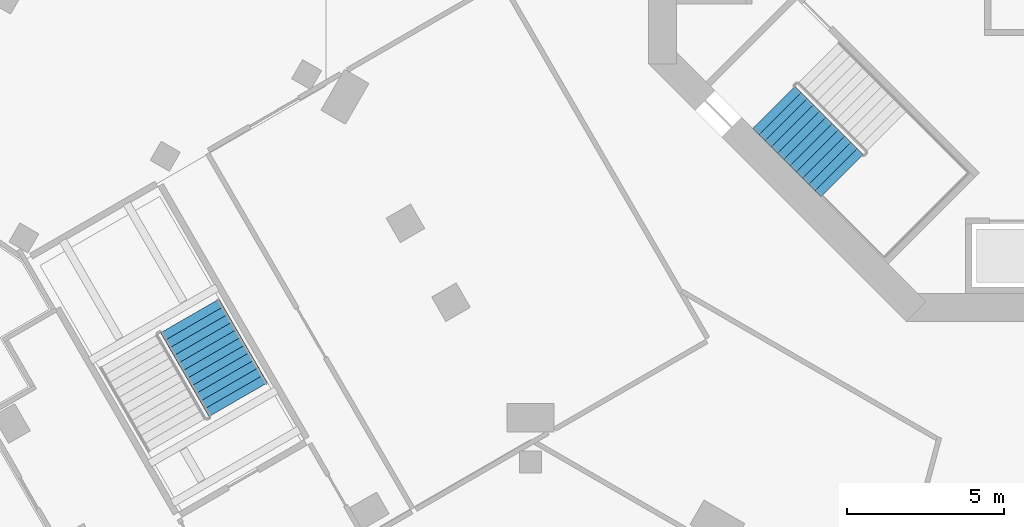
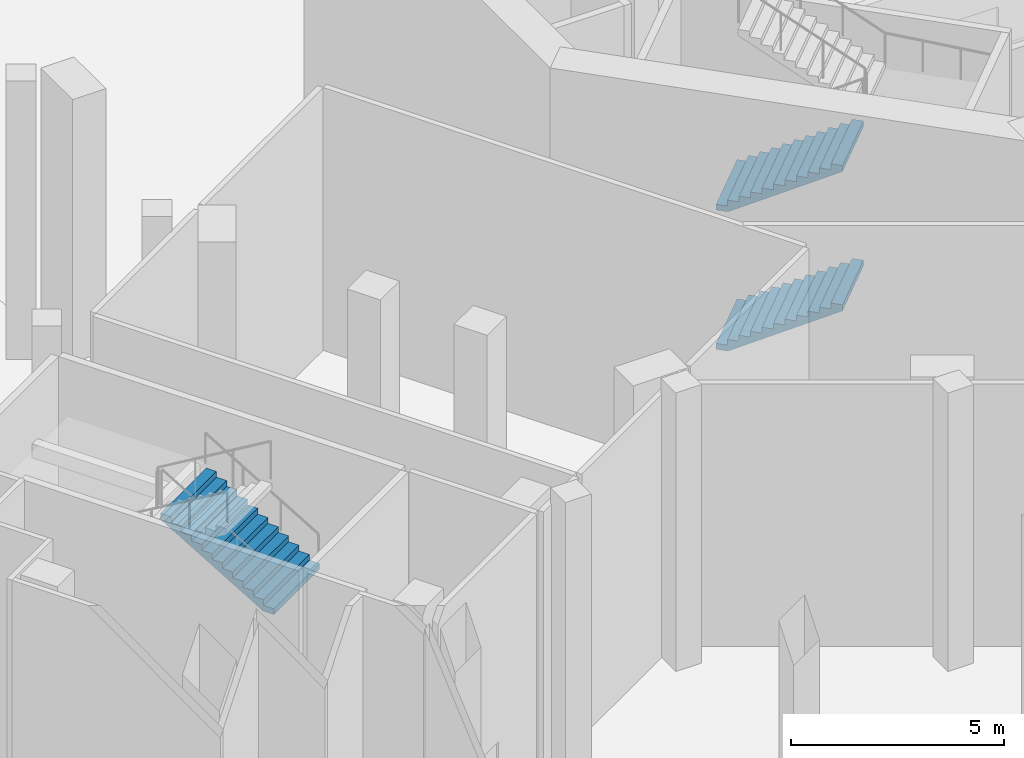
# One storey, part 14 of 30: 3 stair flights, 2 elements without a shape of their own.
"""IFC4 building model written with IfcOpenShell, lengths in metres."""

from ifc_helpers import new_model, si_unit, direction, frame, origin, place, context, subcontext, project, spatial, triangles, material, type_object, element, aggregate, save


model = new_model("IFC4")

# Units and contexts
model_context = context("Model", 3, precision=1e-05, world=origin(), true_north=direction((0.0, 1.0)))
body_context = subcontext(model_context, "Body", "Model", "MODEL_VIEW")
ifc_project = project(units=[si_unit("LENGTHUNIT", "METRE"), si_unit("AREAUNIT", "SQUARE_METRE"), si_unit("VOLUMEUNIT", "CUBIC_METRE"), si_unit("PLANEANGLEUNIT", "RADIAN"), si_unit("MASSUNIT", "GRAM", prefix="KILO")], contexts=[model_context])

# Site, building, storey
site_placement = place(None, origin())
site = spatial("IfcSite", under=ifc_project, at=site_placement, CompositionType="ELEMENT")
building_placement = place(site_placement, origin())
building = spatial("IfcBuilding", under=site, at=building_placement, Name="Verdalira Terraces Hotel", CompositionType="ELEMENT")
storey_placement = place(building_placement, origin())
storey = spatial("IfcBuildingStorey", under=building, at=storey_placement, Name="L00", CompositionType="ELEMENT", Elevation=0.0)

# Stair, stair flights
ifc_material_1 = material(Name="Concrete C40", Category="concrete")
stair_type_1 = type_object("IfcStairType", Name="Core stair 48 risers 1900 mm wide", PredefinedType="HALF_TURN_STAIR", material=ifc_material_1)
stair_1_placement = place(storey_placement, origin())
stair_1 = element("IfcStair", 1, at=stair_1_placement, inside=storey, type_object=stair_type_1, Name="L00 Exit stair ST2", PredefinedType="HALF_TURN_STAIR")
ifc_material_2 = material(Name="Concrete C40", Category="concrete")
stair_flight_type_1 = type_object("IfcStairFlightType", Name="Core stair flight 48 risers 1900 mm wide", PredefinedType="STRAIGHT", material=ifc_material_2)
stair_flight_1_placement = place(storey_placement, frame((-10.005615, -7.177246, 0.0), z_axis=(0.0, 0.0, 1.0), x_axis=(0.707106781, -0.707106781, 0.0)))
stair_flight_1 = element("IfcStairFlight", 2, at=stair_flight_1_placement, type_object=stair_flight_type_1, Name="ST2 flight 1", NumberOfRisers=12, NumberOfTreads=11, PredefinedType="STRAIGHT", RiserHeight=0.166666667, TreadLength=0.28, context=body_context, shape_type="Tessellation", body=[
    triangles([(0.0, 0.949951, 0.0), (0.292969, 0.949951, 0.0), (3.080078, 0.949951, 1.658936), (0.0, -0.949951, 0.0), (0.292969, -0.949951, 0.0), (3.080078, -0.949951, 1.658936), (3.080078, 0.949951, 1.833252), (2.800049, 0.949951, 1.833252), (3.080078, -0.949951, 1.833252), (2.800049, -0.949951, 1.833252), (2.800049, 0.949951, 1.666748), (2.800049, -0.949951, 1.666748), (2.52002, 0.949951, 1.666748), (2.52002, -0.949951, 1.666748), (2.52002, 0.949951, 1.5), (2.52002, -0.949951, 1.5), (2.23999, 0.949951, 1.5), (2.23999, 0.949951, 1.333252), (2.23999, -0.949951, 1.5), (2.23999, -0.949951, 1.333252), (1.959961, 0.949951, 1.333252), (1.959961, 0.949951, 1.166748), (1.959961, -0.949951, 1.333252), (1.959961, -0.949951, 1.166748), (1.679932, 0.949951, 1.166748), (1.679932, 0.949951, 1.0), (1.679932, -0.949951, 1.166748), (1.679932, -0.949951, 1.0), (1.399902, 0.949951, 1.0), (1.399902, 0.949951, 0.833252), (1.399902, -0.949951, 1.0), (1.399902, -0.949951, 0.833252), (1.120117, 0.949951, 0.833252), (1.120117, 0.949951, 0.666748), (1.120117, -0.949951, 0.833252), (1.120117, -0.949951, 0.666748), (0.840088, 0.949951, 0.666748), (0.840088, 0.949951, 0.5), (0.840088, -0.949951, 0.666748), (0.840088, -0.949951, 0.5), (0.560059, 0.949951, 0.5), (0.560059, 0.949951, 0.333252), (0.560059, -0.949951, 0.5), (0.560059, -0.949951, 0.333252), (0.280029, 0.949951, 0.333252), (0.280029, 0.949951, 0.166748), (0.280029, -0.949951, 0.333252), (0.280029, -0.949951, 0.166748), (0.0, 0.949951, 0.166748), (0.0, -0.949951, 0.166748), (0.0, -0.890579, 0.0), (0.0, -0.890579, 0.166748), (0.0, -0.831207, 0.0), (0.0, -0.831207, 0.166748), (0.0, -0.771835, 0.0), (0.0, -0.771835, 0.166748), (0.0, -0.712463, 0.0), (0.0, -0.712463, 0.166748), (0.0, -0.653091, 0.0), (0.0, -0.653091, 0.166748), (0.0, -0.593719, 0.0), (0.0, -0.593719, 0.166748), (0.0, -0.534348, 0.0), (0.0, -0.534348, 0.166748), (0.0, -0.474976, 0.0), (0.0, -0.474976, 0.166748), (0.0, -0.415604, 0.0), (0.0, -0.415604, 0.166748), (0.0, -0.356232, 0.0), (0.0, -0.356232, 0.166748), (0.0, -0.29686, 0.0), (0.0, -0.29686, 0.166748), (0.0, -0.237488, 0.0), (0.0, -0.237488, 0.166748), (0.0, -0.178116, 0.0), (0.0, -0.178116, 0.166748), (0.0, -0.118744, 0.0), (0.0, -0.118744, 0.166748), (0.0, -0.059372, 0.0), (0.0, -0.059372, 0.166748), (0.0, 0.0, 0.0), (0.0, 0.0, 0.166748), (0.0, 0.059372, 0.0), (0.0, 0.059372, 0.166748), (0.0, 0.118744, 0.0), (0.0, 0.118744, 0.166748), (0.0, 0.178116, 0.0), (0.0, 0.178116, 0.166748), (0.0, 0.237488, 0.0), (0.0, 0.237488, 0.166748), (0.0, 0.29686, 0.0), (0.0, 0.29686, 0.166748), (0.0, 0.356232, 0.0), (0.0, 0.356232, 0.166748), (0.0, 0.415604, 0.0), (0.0, 0.415604, 0.166748), (0.0, 0.474976, 0.0), (0.0, 0.474976, 0.166748), (0.0, 0.534348, 0.0), (0.0, 0.534348, 0.166748), (0.0, 0.593719, 0.0), (0.0, 0.593719, 0.166748), (0.0, 0.653091, 0.0), (0.0, 0.653091, 0.166748), (0.0, 0.712463, 0.0), (0.0, 0.712463, 0.166748), (0.0, 0.771835, 0.0), (0.0, 0.771835, 0.166748), (0.0, 0.831207, 0.0), (0.0, 0.831207, 0.166748), (0.0, 0.890579, 0.0), (0.0, 0.890579, 0.166748), (3.080078, -0.890579, 1.833252), (3.080078, -0.831207, 1.833252), (3.080078, -0.771835, 1.833252), (3.080078, -0.712463, 1.833252), (3.080078, -0.653091, 1.833252), (3.080078, -0.593719, 1.833252), (3.080078, -0.534348, 1.833252), (3.080078, -0.474976, 1.833252), (3.080078, -0.415604, 1.833252), (3.080078, -0.356232, 1.833252), (3.080078, -0.29686, 1.833252), (3.080078, -0.237488, 1.833252), (3.080078, -0.178116, 1.833252), (3.080078, -0.118744, 1.833252), (3.080078, -0.059372, 1.833252), (3.080078, 0.0, 1.833252), (3.080078, 0.059372, 1.833252), (3.080078, 0.118744, 1.833252), (3.080078, 0.178116, 1.833252), (3.080078, 0.237488, 1.833252), (3.080078, 0.29686, 1.833252), (3.080078, 0.356232, 1.833252), (3.080078, 0.415604, 1.833252), (3.080078, 0.474976, 1.833252), (3.080078, 0.534348, 1.833252), (3.080078, 0.593719, 1.833252), (3.080078, 0.653091, 1.833252), (3.080078, 0.712463, 1.833252), (3.080078, 0.771835, 1.833252), (3.080078, 0.831207, 1.833252), (3.080078, 0.890579, 1.833252), (3.080078, -0.890579, 1.658936), (3.080078, -0.831207, 1.658936), (3.080078, -0.771835, 1.658936), (3.080078, -0.712463, 1.658936), (3.080078, -0.653091, 1.658936), (3.080078, -0.593719, 1.658936), (3.080078, -0.534348, 1.658936), (3.080078, -0.474976, 1.658936), (3.080078, -0.415604, 1.658936), (3.080078, -0.356232, 1.658936), (3.080078, -0.29686, 1.658936), (3.080078, -0.237488, 1.658936), (3.080078, -0.178116, 1.658936), (3.080078, -0.118744, 1.658936), (3.080078, -0.059372, 1.658936), (3.080078, 0.0, 1.658936), (3.080078, 0.059372, 1.658936), (3.080078, 0.118744, 1.658936), (3.080078, 0.178116, 1.658936), (3.080078, 0.237488, 1.658936), (3.080078, 0.29686, 1.658936), (3.080078, 0.356232, 1.658936), (3.080078, 0.415604, 1.658936), (3.080078, 0.474976, 1.658936), (3.080078, 0.534348, 1.658936), (3.080078, 0.593719, 1.658936), (3.080078, 0.653091, 1.658936), (3.080078, 0.712463, 1.658936), (3.080078, 0.771835, 1.658936), (3.080078, 0.831207, 1.658936), (3.080078, 0.890579, 1.658936)], [[1, 3, 2], [4, 5, 6], [3, 8, 7], [6, 9, 10], [3, 11, 8], [6, 10, 12], [3, 13, 11], [6, 12, 14], [3, 15, 13], [6, 14, 16], [15, 18, 17], [16, 19, 20], [3, 18, 15], [6, 16, 20], [18, 22, 21], [20, 23, 24], [3, 22, 18], [6, 20, 24], [22, 26, 25], [24, 27, 28], [3, 26, 22], [6, 24, 28], [26, 30, 29], [28, 31, 32], [3, 30, 26], [6, 28, 32], [30, 34, 33], [32, 35, 36], [3, 34, 30], [6, 32, 36], [34, 38, 37], [36, 39, 40], [3, 38, 34], [6, 36, 40], [38, 42, 41], [40, 43, 44], [3, 42, 38], [6, 40, 44], [1, 42, 3], [4, 6, 44], [42, 46, 45], [44, 47, 48], [1, 46, 42], [4, 44, 48], [46, 1, 49], [48, 50, 4], [4, 52, 51], [4, 50, 52], [51, 54, 53], [51, 52, 54], [53, 56, 55], [53, 54, 56], [55, 58, 57], [55, 56, 58], [57, 60, 59], [57, 58, 60], [59, 62, 61], [59, 60, 62], [61, 64, 63], [61, 62, 64], [63, 66, 65], [63, 64, 66], [65, 68, 67], [65, 66, 68], [67, 70, 69], [67, 68, 70], [69, 72, 71], [69, 70, 72], [71, 74, 73], [71, 72, 74], [73, 76, 75], [73, 74, 76], [75, 78, 77], [75, 76, 78], [77, 80, 79], [77, 78, 80], [79, 82, 81], [79, 80, 82], [81, 84, 83], [81, 82, 84], [83, 86, 85], [83, 84, 86], [85, 88, 87], [85, 86, 88], [87, 90, 89], [87, 88, 90], [89, 92, 91], [89, 90, 92], [91, 94, 93], [91, 92, 94], [93, 96, 95], [93, 94, 96], [95, 98, 97], [95, 96, 98], [97, 100, 99], [97, 98, 100], [99, 102, 101], [99, 100, 102], [101, 104, 103], [101, 102, 104], [103, 106, 105], [103, 104, 106], [105, 108, 107], [105, 106, 108], [107, 110, 109], [107, 108, 110], [109, 112, 111], [109, 110, 112], [111, 49, 1], [111, 112, 49], [50, 48, 52], [52, 48, 54], [54, 48, 56], [56, 48, 58], [58, 48, 60], [60, 48, 62], [62, 48, 64], [64, 48, 66], [66, 48, 68], [68, 48, 70], [70, 48, 72], [72, 48, 74], [74, 48, 76], [76, 48, 78], [78, 48, 80], [80, 48, 82], [82, 48, 84], [84, 48, 86], [86, 48, 88], [88, 48, 90], [90, 48, 92], [92, 48, 94], [94, 48, 96], [96, 48, 98], [98, 48, 100], [100, 48, 102], [102, 48, 104], [104, 48, 106], [106, 48, 108], [108, 48, 110], [110, 48, 112], [112, 48, 49], [49, 48, 46], [48, 45, 46], [48, 47, 45], [47, 42, 45], [47, 44, 42], [44, 41, 42], [44, 43, 41], [43, 38, 41], [43, 40, 38], [40, 37, 38], [40, 39, 37], [39, 34, 37], [39, 36, 34], [36, 33, 34], [36, 35, 33], [35, 30, 33], [35, 32, 30], [32, 29, 30], [32, 31, 29], [31, 26, 29], [31, 28, 26], [28, 25, 26], [28, 27, 25], [27, 22, 25], [27, 24, 22], [24, 21, 22], [24, 23, 21], [23, 18, 21], [23, 20, 18], [20, 17, 18], [20, 19, 17], [19, 15, 17], [19, 16, 15], [16, 13, 15], [16, 14, 13], [14, 11, 13], [14, 12, 11], [12, 8, 11], [12, 10, 8], [9, 113, 10], [113, 114, 10], [114, 115, 10], [115, 116, 10], [116, 117, 10], [117, 118, 10], [118, 119, 10], [119, 120, 10], [120, 121, 10], [121, 122, 10], [122, 123, 10], [123, 124, 10], [124, 125, 10], [125, 126, 10], [126, 127, 10], [127, 128, 10], [128, 129, 10], [129, 130, 10], [130, 131, 10], [131, 132, 10], [132, 133, 10], [133, 134, 10], [134, 135, 10], [135, 136, 10], [136, 137, 10], [137, 138, 10], [138, 139, 10], [139, 140, 10], [140, 141, 10], [141, 142, 10], [142, 143, 10], [143, 7, 10], [7, 8, 10], [9, 144, 113], [9, 6, 144], [113, 145, 114], [113, 144, 145], [114, 146, 115], [114, 145, 146], [115, 147, 116], [115, 146, 147], [116, 148, 117], [116, 147, 148], [117, 149, 118], [117, 148, 149], [118, 150, 119], [118, 149, 150], [119, 151, 120], [119, 150, 151], [120, 152, 121], [120, 151, 152], [121, 153, 122], [121, 152, 153], [122, 154, 123], [122, 153, 154], [123, 155, 124], [123, 154, 155], [124, 156, 125], [124, 155, 156], [125, 157, 126], [125, 156, 157], [126, 158, 127], [126, 157, 158], [127, 159, 128], [127, 158, 159], [128, 160, 129], [128, 159, 160], [129, 161, 130], [129, 160, 161], [130, 162, 131], [130, 161, 162], [131, 163, 132], [131, 162, 163], [132, 164, 133], [132, 163, 164], [133, 165, 134], [133, 164, 165], [134, 166, 135], [134, 165, 166], [135, 167, 136], [135, 166, 167], [136, 168, 137], [136, 167, 168], [137, 169, 138], [137, 168, 169], [138, 170, 139], [138, 169, 170], [139, 171, 140], [139, 170, 171], [140, 172, 141], [140, 171, 172], [141, 173, 142], [141, 172, 173], [142, 174, 143], [142, 173, 174], [143, 3, 7], [143, 174, 3], [6, 5, 144], [144, 5, 145], [145, 5, 146], [146, 5, 147], [147, 5, 148], [148, 5, 149], [149, 5, 150], [150, 5, 151], [151, 5, 152], [152, 5, 153], [153, 5, 154], [154, 5, 155], [155, 5, 156], [156, 5, 157], [157, 5, 158], [158, 5, 159], [159, 5, 160], [160, 5, 161], [161, 5, 162], [162, 5, 163], [163, 5, 164], [164, 5, 165], [165, 5, 166], [166, 5, 167], [167, 5, 168], [168, 5, 169], [169, 5, 170], [170, 5, 171], [171, 5, 172], [172, 5, 173], [173, 5, 174], [174, 5, 3], [3, 5, 2], [4, 51, 5], [51, 53, 5], [53, 55, 5], [55, 57, 5], [57, 59, 5], [59, 61, 5], [61, 63, 5], [63, 65, 5], [65, 67, 5], [67, 69, 5], [69, 71, 5], [71, 73, 5], [73, 75, 5], [75, 77, 5], [77, 79, 5], [79, 81, 5], [81, 83, 5], [83, 85, 5], [85, 87, 5], [87, 89, 5], [89, 91, 5], [91, 93, 5], [93, 95, 5], [95, 97, 5], [97, 99, 5], [99, 101, 5], [101, 103, 5], [103, 105, 5], [105, 107, 5], [107, 109, 5], [109, 111, 5], [111, 1, 5], [1, 2, 5]], closed=True),
])
stair_flight_2_placement = place(storey_placement, frame((-10.005615, -7.177246, 4.0), z_axis=(0.0, 0.0, 1.0), x_axis=(0.707106781, -0.707106781, 0.0)))
stair_flight_2 = element("IfcStairFlight", 3, at=stair_flight_2_placement, type_object=stair_flight_type_1, Name="ST2 flight 3", NumberOfRisers=12, NumberOfTreads=11, PredefinedType="STRAIGHT", RiserHeight=0.166666667, TreadLength=0.28, context=body_context, shape_type="Tessellation", body=[
    triangles([(0.0, 0.949951, 0.0), (0.292969, 0.949951, 0.0), (3.080078, 0.949951, 1.658936), (0.0, -0.949951, 0.0), (0.292969, -0.949951, 0.0), (3.080078, -0.949951, 1.658936), (3.080078, 0.949951, 1.833252), (2.800049, 0.949951, 1.833252), (3.080078, -0.949951, 1.833252), (2.800049, -0.949951, 1.833252), (2.800049, 0.949951, 1.666748), (2.800049, -0.949951, 1.666748), (2.52002, 0.949951, 1.666748), (2.52002, -0.949951, 1.666748), (2.52002, 0.949951, 1.5), (2.52002, -0.949951, 1.5), (2.23999, 0.949951, 1.5), (2.23999, 0.949951, 1.333252), (2.23999, -0.949951, 1.5), (2.23999, -0.949951, 1.333252), (1.959961, 0.949951, 1.333252), (1.959961, 0.949951, 1.166748), (1.959961, -0.949951, 1.333252), (1.959961, -0.949951, 1.166748), (1.679932, 0.949951, 1.166748), (1.679932, 0.949951, 1.0), (1.679932, -0.949951, 1.166748), (1.679932, -0.949951, 1.0), (1.399902, 0.949951, 1.0), (1.399902, 0.949951, 0.833252), (1.399902, -0.949951, 1.0), (1.399902, -0.949951, 0.833252), (1.120117, 0.949951, 0.833252), (1.120117, 0.949951, 0.666748), (1.120117, -0.949951, 0.833252), (1.120117, -0.949951, 0.666748), (0.840088, 0.949951, 0.666748), (0.840088, 0.949951, 0.5), (0.840088, -0.949951, 0.666748), (0.840088, -0.949951, 0.5), (0.560059, 0.949951, 0.5), (0.560059, 0.949951, 0.333252), (0.560059, -0.949951, 0.5), (0.560059, -0.949951, 0.333252), (0.280029, 0.949951, 0.333252), (0.280029, 0.949951, 0.166748), (0.280029, -0.949951, 0.333252), (0.280029, -0.949951, 0.166748), (0.0, 0.949951, 0.166748), (0.0, -0.949951, 0.166748), (0.0, -0.890579, 0.0), (0.0, -0.890579, 0.166748), (0.0, -0.831207, 0.0), (0.0, -0.831207, 0.166748), (0.0, -0.771835, 0.0), (0.0, -0.771835, 0.166748), (0.0, -0.712463, 0.0), (0.0, -0.712463, 0.166748), (0.0, -0.653091, 0.0), (0.0, -0.653091, 0.166748), (0.0, -0.593719, 0.0), (0.0, -0.593719, 0.166748), (0.0, -0.534348, 0.0), (0.0, -0.534348, 0.166748), (0.0, -0.474976, 0.0), (0.0, -0.474976, 0.166748), (0.0, -0.415604, 0.0), (0.0, -0.415604, 0.166748), (0.0, -0.356232, 0.0), (0.0, -0.356232, 0.166748), (0.0, -0.29686, 0.0), (0.0, -0.29686, 0.166748), (0.0, -0.237488, 0.0), (0.0, -0.237488, 0.166748), (0.0, -0.178116, 0.0), (0.0, -0.178116, 0.166748), (0.0, -0.118744, 0.0), (0.0, -0.118744, 0.166748), (0.0, -0.059372, 0.0), (0.0, -0.059372, 0.166748), (0.0, 0.0, 0.0), (0.0, 0.0, 0.166748), (0.0, 0.059372, 0.0), (0.0, 0.059372, 0.166748), (0.0, 0.118744, 0.0), (0.0, 0.118744, 0.166748), (0.0, 0.178116, 0.0), (0.0, 0.178116, 0.166748), (0.0, 0.237488, 0.0), (0.0, 0.237488, 0.166748), (0.0, 0.29686, 0.0), (0.0, 0.29686, 0.166748), (0.0, 0.356232, 0.0), (0.0, 0.356232, 0.166748), (0.0, 0.415604, 0.0), (0.0, 0.415604, 0.166748), (0.0, 0.474976, 0.0), (0.0, 0.474976, 0.166748), (0.0, 0.534348, 0.0), (0.0, 0.534348, 0.166748), (0.0, 0.593719, 0.0), (0.0, 0.593719, 0.166748), (0.0, 0.653091, 0.0), (0.0, 0.653091, 0.166748), (0.0, 0.712463, 0.0), (0.0, 0.712463, 0.166748), (0.0, 0.771835, 0.0), (0.0, 0.771835, 0.166748), (0.0, 0.831207, 0.0), (0.0, 0.831207, 0.166748), (0.0, 0.890579, 0.0), (0.0, 0.890579, 0.166748), (3.080078, -0.890579, 1.833252), (3.080078, -0.831207, 1.833252), (3.080078, -0.771835, 1.833252), (3.080078, -0.712463, 1.833252), (3.080078, -0.653091, 1.833252), (3.080078, -0.593719, 1.833252), (3.080078, -0.534348, 1.833252), (3.080078, -0.474976, 1.833252), (3.080078, -0.415604, 1.833252), (3.080078, -0.356232, 1.833252), (3.080078, -0.29686, 1.833252), (3.080078, -0.237488, 1.833252), (3.080078, -0.178116, 1.833252), (3.080078, -0.118744, 1.833252), (3.080078, -0.059372, 1.833252), (3.080078, 0.0, 1.833252), (3.080078, 0.059372, 1.833252), (3.080078, 0.118744, 1.833252), (3.080078, 0.178116, 1.833252), (3.080078, 0.237488, 1.833252), (3.080078, 0.29686, 1.833252), (3.080078, 0.356232, 1.833252), (3.080078, 0.415604, 1.833252), (3.080078, 0.474976, 1.833252), (3.080078, 0.534348, 1.833252), (3.080078, 0.593719, 1.833252), (3.080078, 0.653091, 1.833252), (3.080078, 0.712463, 1.833252), (3.080078, 0.771835, 1.833252), (3.080078, 0.831207, 1.833252), (3.080078, 0.890579, 1.833252), (3.080078, -0.890579, 1.658936), (3.080078, -0.831207, 1.658936), (3.080078, -0.771835, 1.658936), (3.080078, -0.712463, 1.658936), (3.080078, -0.653091, 1.658936), (3.080078, -0.593719, 1.658936), (3.080078, -0.534348, 1.658936), (3.080078, -0.474976, 1.658936), (3.080078, -0.415604, 1.658936), (3.080078, -0.356232, 1.658936), (3.080078, -0.29686, 1.658936), (3.080078, -0.237488, 1.658936), (3.080078, -0.178116, 1.658936), (3.080078, -0.118744, 1.658936), (3.080078, -0.059372, 1.658936), (3.080078, 0.0, 1.658936), (3.080078, 0.059372, 1.658936), (3.080078, 0.118744, 1.658936), (3.080078, 0.178116, 1.658936), (3.080078, 0.237488, 1.658936), (3.080078, 0.29686, 1.658936), (3.080078, 0.356232, 1.658936), (3.080078, 0.415604, 1.658936), (3.080078, 0.474976, 1.658936), (3.080078, 0.534348, 1.658936), (3.080078, 0.593719, 1.658936), (3.080078, 0.653091, 1.658936), (3.080078, 0.712463, 1.658936), (3.080078, 0.771835, 1.658936), (3.080078, 0.831207, 1.658936), (3.080078, 0.890579, 1.658936)], [[1, 3, 2], [4, 5, 6], [3, 8, 7], [6, 9, 10], [3, 11, 8], [6, 10, 12], [3, 13, 11], [6, 12, 14], [3, 15, 13], [6, 14, 16], [15, 18, 17], [16, 19, 20], [3, 18, 15], [6, 16, 20], [18, 22, 21], [20, 23, 24], [3, 22, 18], [6, 20, 24], [22, 26, 25], [24, 27, 28], [3, 26, 22], [6, 24, 28], [26, 30, 29], [28, 31, 32], [3, 30, 26], [6, 28, 32], [30, 34, 33], [32, 35, 36], [3, 34, 30], [6, 32, 36], [34, 38, 37], [36, 39, 40], [3, 38, 34], [6, 36, 40], [38, 42, 41], [40, 43, 44], [3, 42, 38], [6, 40, 44], [1, 42, 3], [4, 6, 44], [42, 46, 45], [44, 47, 48], [1, 46, 42], [4, 44, 48], [46, 1, 49], [48, 50, 4], [4, 52, 51], [4, 50, 52], [51, 54, 53], [51, 52, 54], [53, 56, 55], [53, 54, 56], [55, 58, 57], [55, 56, 58], [57, 60, 59], [57, 58, 60], [59, 62, 61], [59, 60, 62], [61, 64, 63], [61, 62, 64], [63, 66, 65], [63, 64, 66], [65, 68, 67], [65, 66, 68], [67, 70, 69], [67, 68, 70], [69, 72, 71], [69, 70, 72], [71, 74, 73], [71, 72, 74], [73, 76, 75], [73, 74, 76], [75, 78, 77], [75, 76, 78], [77, 80, 79], [77, 78, 80], [79, 82, 81], [79, 80, 82], [81, 84, 83], [81, 82, 84], [83, 86, 85], [83, 84, 86], [85, 88, 87], [85, 86, 88], [87, 90, 89], [87, 88, 90], [89, 92, 91], [89, 90, 92], [91, 94, 93], [91, 92, 94], [93, 96, 95], [93, 94, 96], [95, 98, 97], [95, 96, 98], [97, 100, 99], [97, 98, 100], [99, 102, 101], [99, 100, 102], [101, 104, 103], [101, 102, 104], [103, 106, 105], [103, 104, 106], [105, 108, 107], [105, 106, 108], [107, 110, 109], [107, 108, 110], [109, 112, 111], [109, 110, 112], [111, 49, 1], [111, 112, 49], [50, 48, 52], [52, 48, 54], [54, 48, 56], [56, 48, 58], [58, 48, 60], [60, 48, 62], [62, 48, 64], [64, 48, 66], [66, 48, 68], [68, 48, 70], [70, 48, 72], [72, 48, 74], [74, 48, 76], [76, 48, 78], [78, 48, 80], [80, 48, 82], [82, 48, 84], [84, 48, 86], [86, 48, 88], [88, 48, 90], [90, 48, 92], [92, 48, 94], [94, 48, 96], [96, 48, 98], [98, 48, 100], [100, 48, 102], [102, 48, 104], [104, 48, 106], [106, 48, 108], [108, 48, 110], [110, 48, 112], [112, 48, 49], [49, 48, 46], [48, 45, 46], [48, 47, 45], [47, 42, 45], [47, 44, 42], [44, 41, 42], [44, 43, 41], [43, 38, 41], [43, 40, 38], [40, 37, 38], [40, 39, 37], [39, 34, 37], [39, 36, 34], [36, 33, 34], [36, 35, 33], [35, 30, 33], [35, 32, 30], [32, 29, 30], [32, 31, 29], [31, 26, 29], [31, 28, 26], [28, 25, 26], [28, 27, 25], [27, 22, 25], [27, 24, 22], [24, 21, 22], [24, 23, 21], [23, 18, 21], [23, 20, 18], [20, 17, 18], [20, 19, 17], [19, 15, 17], [19, 16, 15], [16, 13, 15], [16, 14, 13], [14, 11, 13], [14, 12, 11], [12, 8, 11], [12, 10, 8], [9, 113, 10], [113, 114, 10], [114, 115, 10], [115, 116, 10], [116, 117, 10], [117, 118, 10], [118, 119, 10], [119, 120, 10], [120, 121, 10], [121, 122, 10], [122, 123, 10], [123, 124, 10], [124, 125, 10], [125, 126, 10], [126, 127, 10], [127, 128, 10], [128, 129, 10], [129, 130, 10], [130, 131, 10], [131, 132, 10], [132, 133, 10], [133, 134, 10], [134, 135, 10], [135, 136, 10], [136, 137, 10], [137, 138, 10], [138, 139, 10], [139, 140, 10], [140, 141, 10], [141, 142, 10], [142, 143, 10], [143, 7, 10], [7, 8, 10], [9, 144, 113], [9, 6, 144], [113, 145, 114], [113, 144, 145], [114, 146, 115], [114, 145, 146], [115, 147, 116], [115, 146, 147], [116, 148, 117], [116, 147, 148], [117, 149, 118], [117, 148, 149], [118, 150, 119], [118, 149, 150], [119, 151, 120], [119, 150, 151], [120, 152, 121], [120, 151, 152], [121, 153, 122], [121, 152, 153], [122, 154, 123], [122, 153, 154], [123, 155, 124], [123, 154, 155], [124, 156, 125], [124, 155, 156], [125, 157, 126], [125, 156, 157], [126, 158, 127], [126, 157, 158], [127, 159, 128], [127, 158, 159], [128, 160, 129], [128, 159, 160], [129, 161, 130], [129, 160, 161], [130, 162, 131], [130, 161, 162], [131, 163, 132], [131, 162, 163], [132, 164, 133], [132, 163, 164], [133, 165, 134], [133, 164, 165], [134, 166, 135], [134, 165, 166], [135, 167, 136], [135, 166, 167], [136, 168, 137], [136, 167, 168], [137, 169, 138], [137, 168, 169], [138, 170, 139], [138, 169, 170], [139, 171, 140], [139, 170, 171], [140, 172, 141], [140, 171, 172], [141, 173, 142], [141, 172, 173], [142, 174, 143], [142, 173, 174], [143, 3, 7], [143, 174, 3], [6, 5, 144], [144, 5, 145], [145, 5, 146], [146, 5, 147], [147, 5, 148], [148, 5, 149], [149, 5, 150], [150, 5, 151], [151, 5, 152], [152, 5, 153], [153, 5, 154], [154, 5, 155], [155, 5, 156], [156, 5, 157], [157, 5, 158], [158, 5, 159], [159, 5, 160], [160, 5, 161], [161, 5, 162], [162, 5, 163], [163, 5, 164], [164, 5, 165], [165, 5, 166], [166, 5, 167], [167, 5, 168], [168, 5, 169], [169, 5, 170], [170, 5, 171], [171, 5, 172], [172, 5, 173], [173, 5, 174], [174, 5, 3], [3, 5, 2], [4, 51, 5], [51, 53, 5], [53, 55, 5], [55, 57, 5], [57, 59, 5], [59, 61, 5], [61, 63, 5], [63, 65, 5], [65, 67, 5], [67, 69, 5], [69, 71, 5], [71, 73, 5], [73, 75, 5], [75, 77, 5], [77, 79, 5], [79, 81, 5], [81, 83, 5], [83, 85, 5], [85, 87, 5], [87, 89, 5], [89, 91, 5], [91, 93, 5], [93, 95, 5], [95, 97, 5], [97, 99, 5], [99, 101, 5], [101, 103, 5], [103, 105, 5], [105, 107, 5], [107, 109, 5], [109, 111, 5], [111, 1, 5], [1, 2, 5]], closed=True),
])
aggregate(stair_1, [stair_flight_1, stair_flight_2])

# Stair, stair flight
ifc_material_3 = material(Name="Concrete C40", Category="concrete")
stair_type_2 = type_object("IfcStairType", Name="Podium stair 48 risers", PredefinedType="HALF_TURN_STAIR", material=ifc_material_3)
stair_2_placement = place(storey_placement, origin())
stair_2 = element("IfcStair", 4, at=stair_2_placement, inside=storey, type_object=stair_type_2, Name="L00 Exit stair PS2", PredefinedType="HALF_TURN_STAIR")
ifc_material_4 = material(Name="Concrete C40", Category="concrete")
stair_flight_type_2 = type_object("IfcStairFlightType", Name="Podium stair flight 48 risers", PredefinedType="STRAIGHT", material=ifc_material_4)
stair_flight_3_placement = place(storey_placement, frame((-27.056396, -16.487061, 4.0), z_axis=(0.0, 0.0, 1.0), x_axis=(-0.5, 0.866025404, 0.0)))
stair_flight_3 = element("IfcStairFlight", 5, at=stair_flight_3_placement, type_object=stair_flight_type_2, Name="PS2 flight 3", NumberOfRisers=12, NumberOfTreads=11, PredefinedType="STRAIGHT", RiserHeight=0.166666667, TreadLength=0.28, context=body_context, shape_type="Tessellation", body=[
    triangles([(0.0, 1.074951, 0.0), (0.292969, 1.074951, 0.0), (3.080078, 1.074951, 1.658936), (0.0, -1.074951, 0.0), (0.292969, -1.074951, 0.0), (3.080078, -1.074951, 1.658936), (3.080078, 1.074951, 1.833252), (2.800049, 1.074951, 1.833252), (3.080078, -1.074951, 1.833252), (2.800049, -1.074951, 1.833252), (2.800049, 1.074951, 1.666748), (2.800049, -1.074951, 1.666748), (2.52002, 1.074951, 1.666748), (2.52002, -1.074951, 1.666748), (2.52002, 1.074951, 1.5), (2.52002, -1.074951, 1.5), (2.23999, 1.074951, 1.5), (2.23999, 1.074951, 1.333252), (2.23999, -1.074951, 1.5), (2.23999, -1.074951, 1.333252), (1.959961, 1.074951, 1.333252), (1.959961, 1.074951, 1.166748), (1.959961, -1.074951, 1.333252), (1.959961, -1.074951, 1.166748), (1.679932, 1.074951, 1.166748), (1.679932, 1.074951, 1.0), (1.679932, -1.074951, 1.166748), (1.679932, -1.074951, 1.0), (1.399902, 1.074951, 1.0), (1.399902, 1.074951, 0.833252), (1.399902, -1.074951, 1.0), (1.399902, -1.074951, 0.833252), (1.120117, 1.074951, 0.833252), (1.120117, 1.074951, 0.666748), (1.120117, -1.074951, 0.833252), (1.120117, -1.074951, 0.666748), (0.840088, 1.074951, 0.666748), (0.840088, 1.074951, 0.5), (0.840088, -1.074951, 0.666748), (0.840088, -1.074951, 0.5), (0.560059, 1.074951, 0.5), (0.560059, 1.074951, 0.333252), (0.560059, -1.074951, 0.5), (0.560059, -1.074951, 0.333252), (0.280029, 1.074951, 0.333252), (0.280029, 1.074951, 0.166748), (0.280029, -1.074951, 0.333252), (0.280029, -1.074951, 0.166748), (0.0, 1.074951, 0.166748), (0.0, -1.074951, 0.166748), (0.0, -1.007767, 0.0), (0.0, -1.007767, 0.166748), (0.0, -0.940582, 0.0), (0.0, -0.940582, 0.166748), (0.0, -0.873398, 0.0), (0.0, -0.873398, 0.166748), (0.0, -0.806213, 0.0), (0.0, -0.806213, 0.166748), (0.0, -0.739029, 0.0), (0.0, -0.739029, 0.166748), (0.0, -0.671844, 0.0), (0.0, -0.671844, 0.166748), (0.0, -0.60466, 0.0), (0.0, -0.60466, 0.166748), (0.0, -0.537476, 0.0), (0.0, -0.537476, 0.166748), (0.0, -0.470291, 0.0), (0.0, -0.470291, 0.166748), (0.0, -0.403107, 0.0), (0.0, -0.403107, 0.166748), (0.0, -0.335922, 0.0), (0.0, -0.335922, 0.166748), (0.0, -0.268738, 0.0), (0.0, -0.268738, 0.166748), (0.0, -0.201553, 0.0), (0.0, -0.201553, 0.166748), (0.0, -0.134369, 0.0), (0.0, -0.134369, 0.166748), (0.0, -0.067184, 0.0), (0.0, -0.067184, 0.166748), (0.0, 0.0, 0.0), (0.0, 0.0, 0.166748), (0.0, 0.067184, 0.0), (0.0, 0.067184, 0.166748), (0.0, 0.134369, 0.0), (0.0, 0.134369, 0.166748), (0.0, 0.201553, 0.0), (0.0, 0.201553, 0.166748), (0.0, 0.268738, 0.0), (0.0, 0.268738, 0.166748), (0.0, 0.335922, 0.0), (0.0, 0.335922, 0.166748), (0.0, 0.403107, 0.0), (0.0, 0.403107, 0.166748), (0.0, 0.470291, 0.0), (0.0, 0.470291, 0.166748), (0.0, 0.537476, 0.0), (0.0, 0.537476, 0.166748), (0.0, 0.60466, 0.0), (0.0, 0.60466, 0.166748), (0.0, 0.671844, 0.0), (0.0, 0.671844, 0.166748), (0.0, 0.739029, 0.0), (0.0, 0.739029, 0.166748), (0.0, 0.806213, 0.0), (0.0, 0.806213, 0.166748), (0.0, 0.873398, 0.0), (0.0, 0.873398, 0.166748), (0.0, 0.940582, 0.0), (0.0, 0.940582, 0.166748), (0.0, 1.007767, 0.0), (0.0, 1.007767, 0.166748), (3.080078, -1.007767, 1.833252), (3.080078, -0.940582, 1.833252), (3.080078, -0.873398, 1.833252), (3.080078, -0.806213, 1.833252), (3.080078, -0.739029, 1.833252), (3.080078, -0.671844, 1.833252), (3.080078, -0.60466, 1.833252), (3.080078, -0.537476, 1.833252), (3.080078, -0.470291, 1.833252), (3.080078, -0.403107, 1.833252), (3.080078, -0.335922, 1.833252), (3.080078, -0.268738, 1.833252), (3.080078, -0.201553, 1.833252), (3.080078, -0.134369, 1.833252), (3.080078, -0.067184, 1.833252), (3.080078, 0.0, 1.833252), (3.080078, 0.067184, 1.833252), (3.080078, 0.134369, 1.833252), (3.080078, 0.201553, 1.833252), (3.080078, 0.268738, 1.833252), (3.080078, 0.335922, 1.833252), (3.080078, 0.403107, 1.833252), (3.080078, 0.470291, 1.833252), (3.080078, 0.537476, 1.833252), (3.080078, 0.60466, 1.833252), (3.080078, 0.671844, 1.833252), (3.080078, 0.739029, 1.833252), (3.080078, 0.806213, 1.833252), (3.080078, 0.873398, 1.833252), (3.080078, 0.940582, 1.833252), (3.080078, 1.007767, 1.833252), (3.080078, -1.007767, 1.658936), (3.080078, -0.940582, 1.658936), (3.080078, -0.873398, 1.658936), (3.080078, -0.806213, 1.658936), (3.080078, -0.739029, 1.658936), (3.080078, -0.671844, 1.658936), (3.080078, -0.60466, 1.658936), (3.080078, -0.537476, 1.658936), (3.080078, -0.470291, 1.658936), (3.080078, -0.403107, 1.658936), (3.080078, -0.335922, 1.658936), (3.080078, -0.268738, 1.658936), (3.080078, -0.201553, 1.658936), (3.080078, -0.134369, 1.658936), (3.080078, -0.067184, 1.658936), (3.080078, 0.0, 1.658936), (3.080078, 0.067184, 1.658936), (3.080078, 0.134369, 1.658936), (3.080078, 0.201553, 1.658936), (3.080078, 0.268738, 1.658936), (3.080078, 0.335922, 1.658936), (3.080078, 0.403107, 1.658936), (3.080078, 0.470291, 1.658936), (3.080078, 0.537476, 1.658936), (3.080078, 0.60466, 1.658936), (3.080078, 0.671844, 1.658936), (3.080078, 0.739029, 1.658936), (3.080078, 0.806213, 1.658936), (3.080078, 0.873398, 1.658936), (3.080078, 0.940582, 1.658936), (3.080078, 1.007767, 1.658936)], [[1, 3, 2], [4, 5, 6], [3, 8, 7], [6, 9, 10], [3, 11, 8], [6, 10, 12], [3, 13, 11], [6, 12, 14], [3, 15, 13], [6, 14, 16], [15, 18, 17], [16, 19, 20], [3, 18, 15], [6, 16, 20], [18, 22, 21], [20, 23, 24], [3, 22, 18], [6, 20, 24], [22, 26, 25], [24, 27, 28], [3, 26, 22], [6, 24, 28], [26, 30, 29], [28, 31, 32], [3, 30, 26], [6, 28, 32], [30, 34, 33], [32, 35, 36], [3, 34, 30], [6, 32, 36], [34, 38, 37], [36, 39, 40], [3, 38, 34], [6, 36, 40], [38, 42, 41], [40, 43, 44], [3, 42, 38], [6, 40, 44], [1, 42, 3], [4, 6, 44], [42, 46, 45], [44, 47, 48], [1, 46, 42], [4, 44, 48], [46, 1, 49], [48, 50, 4], [4, 52, 51], [4, 50, 52], [51, 54, 53], [51, 52, 54], [53, 56, 55], [53, 54, 56], [55, 58, 57], [55, 56, 58], [57, 60, 59], [57, 58, 60], [59, 62, 61], [59, 60, 62], [61, 64, 63], [61, 62, 64], [63, 66, 65], [63, 64, 66], [65, 68, 67], [65, 66, 68], [67, 70, 69], [67, 68, 70], [69, 72, 71], [69, 70, 72], [71, 74, 73], [71, 72, 74], [73, 76, 75], [73, 74, 76], [75, 78, 77], [75, 76, 78], [77, 80, 79], [77, 78, 80], [79, 82, 81], [79, 80, 82], [81, 84, 83], [81, 82, 84], [83, 86, 85], [83, 84, 86], [85, 88, 87], [85, 86, 88], [87, 90, 89], [87, 88, 90], [89, 92, 91], [89, 90, 92], [91, 94, 93], [91, 92, 94], [93, 96, 95], [93, 94, 96], [95, 98, 97], [95, 96, 98], [97, 100, 99], [97, 98, 100], [99, 102, 101], [99, 100, 102], [101, 104, 103], [101, 102, 104], [103, 106, 105], [103, 104, 106], [105, 108, 107], [105, 106, 108], [107, 110, 109], [107, 108, 110], [109, 112, 111], [109, 110, 112], [111, 49, 1], [111, 112, 49], [50, 48, 52], [52, 48, 54], [54, 48, 56], [56, 48, 58], [58, 48, 60], [60, 48, 62], [62, 48, 64], [64, 48, 66], [66, 48, 68], [68, 48, 70], [70, 48, 72], [72, 48, 74], [74, 48, 76], [76, 48, 78], [78, 48, 80], [80, 48, 82], [82, 48, 84], [84, 48, 86], [86, 48, 88], [88, 48, 90], [90, 48, 92], [92, 48, 94], [94, 48, 96], [96, 48, 98], [98, 48, 100], [100, 48, 102], [102, 48, 104], [104, 48, 106], [106, 48, 108], [108, 48, 110], [110, 48, 112], [112, 48, 49], [49, 48, 46], [48, 45, 46], [48, 47, 45], [47, 42, 45], [47, 44, 42], [44, 41, 42], [44, 43, 41], [43, 38, 41], [43, 40, 38], [40, 37, 38], [40, 39, 37], [39, 34, 37], [39, 36, 34], [36, 33, 34], [36, 35, 33], [35, 30, 33], [35, 32, 30], [32, 29, 30], [32, 31, 29], [31, 26, 29], [31, 28, 26], [28, 25, 26], [28, 27, 25], [27, 22, 25], [27, 24, 22], [24, 21, 22], [24, 23, 21], [23, 18, 21], [23, 20, 18], [20, 17, 18], [20, 19, 17], [19, 15, 17], [19, 16, 15], [16, 13, 15], [16, 14, 13], [14, 11, 13], [14, 12, 11], [12, 8, 11], [12, 10, 8], [9, 113, 10], [113, 114, 10], [114, 115, 10], [115, 116, 10], [116, 117, 10], [117, 118, 10], [118, 119, 10], [119, 120, 10], [120, 121, 10], [121, 122, 10], [122, 123, 10], [123, 124, 10], [124, 125, 10], [125, 126, 10], [126, 127, 10], [127, 128, 10], [128, 129, 10], [129, 130, 10], [130, 131, 10], [131, 132, 10], [132, 133, 10], [133, 134, 10], [134, 135, 10], [135, 136, 10], [136, 137, 10], [137, 138, 10], [138, 139, 10], [139, 140, 10], [140, 141, 10], [141, 142, 10], [142, 143, 10], [143, 7, 10], [7, 8, 10], [9, 144, 113], [9, 6, 144], [113, 145, 114], [113, 144, 145], [114, 146, 115], [114, 145, 146], [115, 147, 116], [115, 146, 147], [116, 148, 117], [116, 147, 148], [117, 149, 118], [117, 148, 149], [118, 150, 119], [118, 149, 150], [119, 151, 120], [119, 150, 151], [120, 152, 121], [120, 151, 152], [121, 153, 122], [121, 152, 153], [122, 154, 123], [122, 153, 154], [123, 155, 124], [123, 154, 155], [124, 156, 125], [124, 155, 156], [125, 157, 126], [125, 156, 157], [126, 158, 127], [126, 157, 158], [127, 159, 128], [127, 158, 159], [128, 160, 129], [128, 159, 160], [129, 161, 130], [129, 160, 161], [130, 162, 131], [130, 161, 162], [131, 163, 132], [131, 162, 163], [132, 164, 133], [132, 163, 164], [133, 165, 134], [133, 164, 165], [134, 166, 135], [134, 165, 166], [135, 167, 136], [135, 166, 167], [136, 168, 137], [136, 167, 168], [137, 169, 138], [137, 168, 169], [138, 170, 139], [138, 169, 170], [139, 171, 140], [139, 170, 171], [140, 172, 141], [140, 171, 172], [141, 173, 142], [141, 172, 173], [142, 174, 143], [142, 173, 174], [143, 3, 7], [143, 174, 3], [6, 5, 144], [144, 5, 145], [145, 5, 146], [146, 5, 147], [147, 5, 148], [148, 5, 149], [149, 5, 150], [150, 5, 151], [151, 5, 152], [152, 5, 153], [153, 5, 154], [154, 5, 155], [155, 5, 156], [156, 5, 157], [157, 5, 158], [158, 5, 159], [159, 5, 160], [160, 5, 161], [161, 5, 162], [162, 5, 163], [163, 5, 164], [164, 5, 165], [165, 5, 166], [166, 5, 167], [167, 5, 168], [168, 5, 169], [169, 5, 170], [170, 5, 171], [171, 5, 172], [172, 5, 173], [173, 5, 174], [174, 5, 3], [3, 5, 2], [4, 51, 5], [51, 53, 5], [53, 55, 5], [55, 57, 5], [57, 59, 5], [59, 61, 5], [61, 63, 5], [63, 65, 5], [65, 67, 5], [67, 69, 5], [69, 71, 5], [71, 73, 5], [73, 75, 5], [75, 77, 5], [77, 79, 5], [79, 81, 5], [81, 83, 5], [83, 85, 5], [85, 87, 5], [87, 89, 5], [89, 91, 5], [91, 93, 5], [93, 95, 5], [95, 97, 5], [97, 99, 5], [99, 101, 5], [101, 103, 5], [103, 105, 5], [105, 107, 5], [107, 109, 5], [109, 111, 5], [111, 1, 5], [1, 2, 5]], closed=True),
])
aggregate(stair_2, [stair_flight_3])

save(model, "model.ifc")
